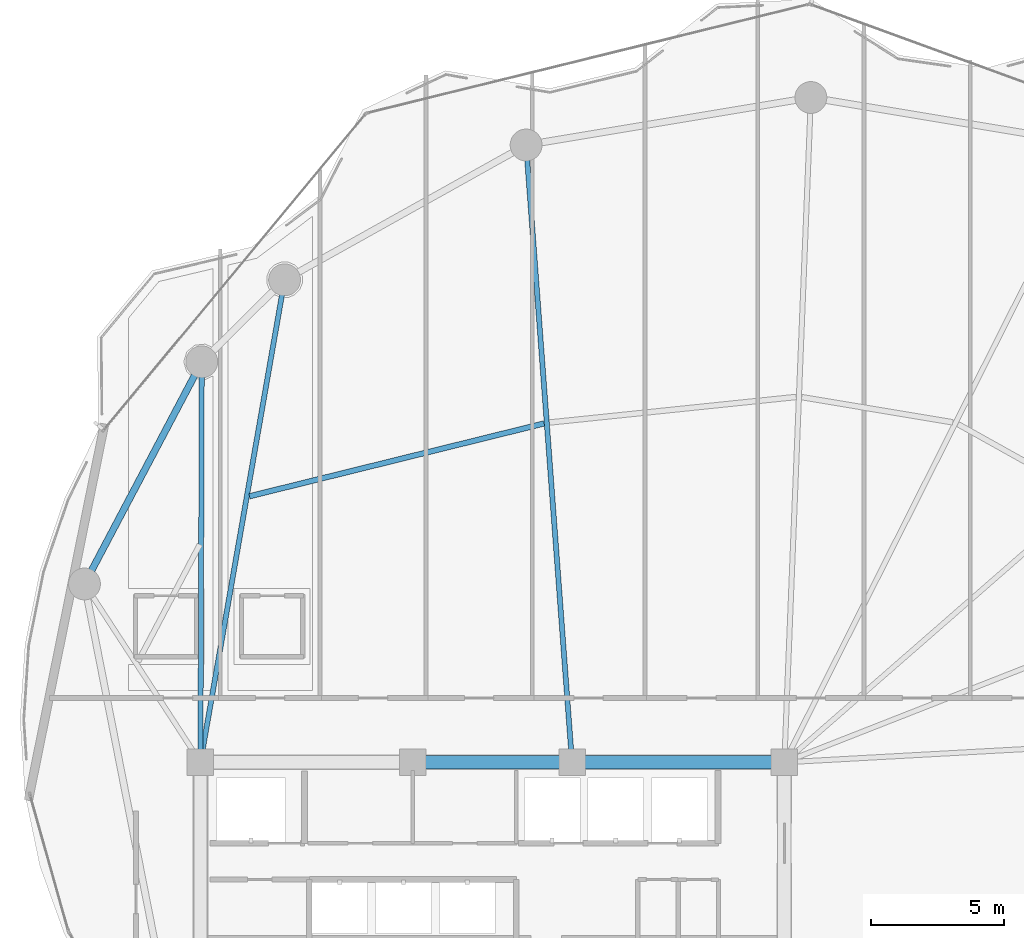
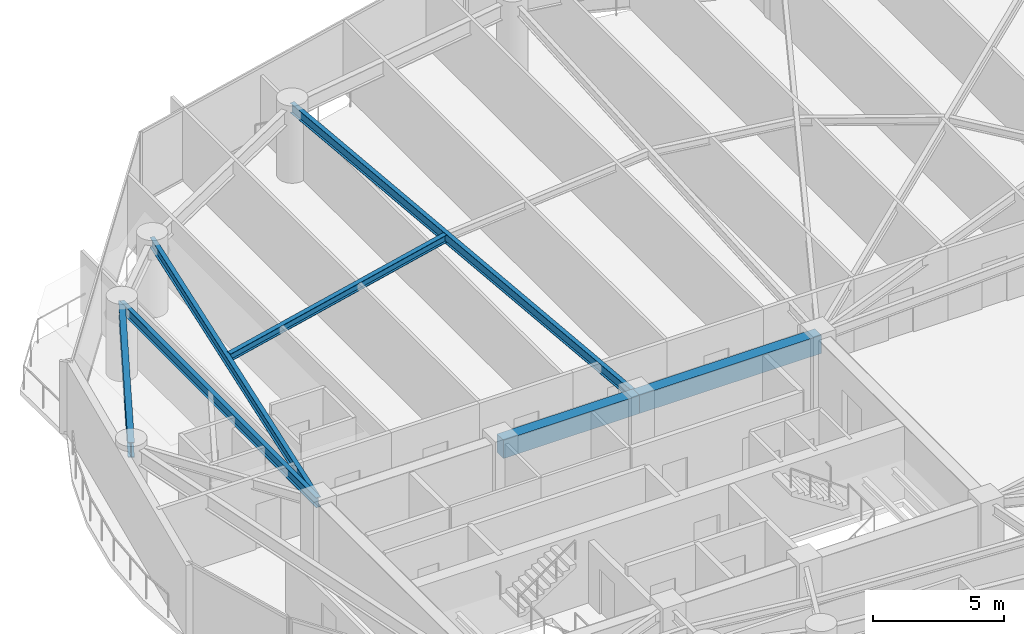
# One storey, part 8 of 28: 7 beams.
"""IFC4 building model written with IfcOpenShell, lengths in metres."""

from ifc_helpers import new_model, si_unit, direction, frame, origin, origin_2d, place, context, subcontext, project, spatial, rectangle, i_section, extrude, material, material_profile, profile_set, type_object, element, save


model = new_model("IFC4")

# Units and contexts
model_context = context("Model", 3, precision=1e-05, world=origin(), true_north=direction((0.0, 1.0)))
body_context = subcontext(model_context, "Body", "Model", "MODEL_VIEW")
ifc_project = project(units=[si_unit("LENGTHUNIT", "METRE"), si_unit("AREAUNIT", "SQUARE_METRE"), si_unit("VOLUMEUNIT", "CUBIC_METRE"), si_unit("PLANEANGLEUNIT", "RADIAN"), si_unit("MASSUNIT", "GRAM", prefix="KILO")], contexts=[model_context])

# Site, building, storey
site_placement = place(None, origin())
site = spatial("IfcSite", under=ifc_project, at=site_placement, CompositionType="ELEMENT")
building_placement = place(site_placement, origin())
building = spatial("IfcBuilding", under=site, at=building_placement, Name="Kazevale Care Tower and Concert Hall", CompositionType="ELEMENT")
storey_placement = place(building_placement, frame((0.0, 0.0, 142.199951171875)))
storey = spatial("IfcBuildingStorey", under=building, at=storey_placement, Name="L37", CompositionType="ELEMENT", Elevation=142.199951171875)

# Beams
ifc_material_1 = material(Name="Concrete C60", Category="concrete")
ifc_material_profile_1 = material_profile(ifc_material_1, rectangle(XDim=0.5, YDim=0.85009765625, at=origin_2d()), Name="RC-B500x850")
ifc_profile_set_1 = profile_set([ifc_material_profile_1], Name="Concrete C60")
beam_type_1 = type_object("IfcBeamType", Name="Core Coupling Beam RC500x850", PredefinedType="LINTEL", material=ifc_profile_set_1)
beam_1_placement = place(storey_placement, frame((44.0, 36.39990234375, 2.93505859375), z_axis=(-1.0, 0.0, 0.0), x_axis=(0.0, -1.0, 0.0)))
element("IfcBeam", 1, at=beam_1_placement, inside=storey, type_object=beam_type_1, Name="beam:L37:coretie:5", PredefinedType="LINTEL", context=body_context, shape_type="SweptSolid", body=[
    extrude(rectangle(XDim=0.5, YDim=0.85009765625, at=origin_2d()), origin(), (0.0, 0.0, 1.0), 8.0),
])
beam_2_placement = place(storey_placement, frame((36.0, 36.39990234375, 2.93505859375), z_axis=(-1.0, 0.0, 0.0), x_axis=(0.0, -1.0, 0.0)))
element("IfcBeam", 2, at=beam_2_placement, inside=storey, type_object=beam_type_1, Name="beam:L37:coretie:6", PredefinedType="LINTEL", context=body_context, shape_type="SweptSolid", body=[
    extrude(rectangle(XDim=0.5, YDim=0.85009765625, at=origin_2d()), origin(), (0.0, 0.0, 1.0), 6.0),
])
ifc_material_2 = material(Name="Steel ASTM A572 Gr 50", Category="steel")
ifc_material_profile_2 = material_profile(ifc_material_2, i_section(OverallWidth=0.19091796875, OverallDepth=0.4599609375, WebThickness=0.010009765625, FlangeThickness=0.01611328125, at=origin_2d()), Name="W460x82")
ifc_profile_set_2 = profile_set([ifc_material_profile_2], Name="Steel ASTM A572 Gr 50")
beam_type_2 = type_object("IfcBeamType", Name="Radial Floor Beam W460x82", PredefinedType="BEAM", material=ifc_profile_set_2)
beam_3_placement = place(storey_placement, frame((36.0, 36.39990234375, 3.130126953125), z_axis=(-0.074170876808, 0.997245547011, 0.0), x_axis=(-0.997245547011, -0.074170876808, 0.0)))
element("IfcBeam", 3, at=beam_3_placement, inside=storey, type_object=beam_type_2, Name="beam:L37:rad:06", PredefinedType="BEAM", context=body_context, shape_type="SweptSolid", body=[
    extrude(i_section(OverallWidth=0.19091796875, OverallDepth=0.4599609375, WebThickness=0.010009765625, FlangeThickness=0.01611328125, at=origin_2d()), origin(), (0.0, 0.0, 1.0), 23.32421875),
])
beam_4_placement = place(storey_placement, frame((22.0, 36.39990234375, 3.130126953125), z_axis=(0.171769935245, 0.985137091651, 0.0), x_axis=(-0.985137091651, 0.171769935245, 0.0)))
element("IfcBeam", 4, at=beam_4_placement, inside=storey, type_object=beam_type_2, Name="beam:L37:rad:07", PredefinedType="BEAM", context=body_context, shape_type="SweptSolid", body=[
    extrude(i_section(OverallWidth=0.19091796875, OverallDepth=0.4599609375, WebThickness=0.010009765625, FlangeThickness=0.01611328125, at=origin_2d()), origin(), (0.0, 0.0, 1.0), 18.454345703125),
])
beam_5_placement = place(storey_placement, frame((22.0, 36.39990234375, 3.130126953125), z_axis=(0.003316650851, 0.999994499898, 0.0), x_axis=(-0.999994499898, 0.003316650851, 0.0)))
element("IfcBeam", 5, at=beam_5_placement, inside=storey, type_object=beam_type_2, Name="beam:L37:rad:08", PredefinedType="BEAM", context=body_context, shape_type="SweptSolid", body=[
    extrude(i_section(OverallWidth=0.19091796875, OverallDepth=0.4599609375, WebThickness=0.010009765625, FlangeThickness=0.01611328125, at=origin_2d()), origin(), (0.0, 0.0, 1.0), 15.090087890625),
])
ifc_material_profile_3 = material_profile(ifc_material_2, i_section(OverallWidth=0.205078125, OverallDepth=0.35400390625, WebThickness=0.009521484375, FlangeThickness=0.016845703125, at=origin_2d()), Name="W360x79")
ifc_profile_set_3 = profile_set([ifc_material_profile_3], Name="Steel ASTM A572 Gr 50")
beam_type_3 = type_object("IfcBeamType", Name="Secondary Floor Joist W360x79", PredefinedType="JOIST", material=ifc_profile_set_3)
beam_6_placement = place(storey_placement, frame((34.947021484375, 49.16796875, 3.18310546875), z_axis=(-0.970789504014, -0.239932779954, 0.0), x_axis=(0.239932779954, -0.970789504014, 0.0)))
element("IfcBeam", 6, at=beam_6_placement, inside=storey, type_object=beam_type_3, Name="beam:L37:joist:06", PredefinedType="JOIST", context=body_context, shape_type="SweptSolid", body=[
    extrude(i_section(OverallWidth=0.205078125, OverallDepth=0.35400390625, WebThickness=0.009521484375, FlangeThickness=0.016845703125, at=origin_2d()), origin(), (0.0, 0.0, 1.0), 11.43603515625),
])
ifc_material_profile_4 = material_profile(ifc_material_2, i_section(OverallWidth=0.256103515625, OverallDepth=0.693115234375, WebThickness=0.014404296875, FlangeThickness=0.023681640625, at=origin_2d()), Name="W690x170")
ifc_profile_set_4 = profile_set([ifc_material_profile_4], Name="Steel ASTM A572 Gr 50")
beam_type_4 = type_object("IfcBeamType", Name="Waist Ring Beam W690x170", PredefinedType="BEAM", material=ifc_profile_set_4)
beam_7_placement = place(storey_placement, frame((22.050048828125, 51.489990234375, 3.013427734375), z_axis=(-0.466984438127, -0.884265533959, 0.0), x_axis=(0.884265533959, -0.466984438127, 0.0)))
element("IfcBeam", 7, at=beam_7_placement, inside=storey, type_object=beam_type_4, Name="beam:L37:ring:08", PredefinedType="BEAM", context=body_context, shape_type="SweptSolid", body=[
    extrude(i_section(OverallWidth=0.256103515625, OverallDepth=0.693115234375, WebThickness=0.014404296875, FlangeThickness=0.023681640625, at=origin_2d()), origin(), (0.0, 0.0, 1.0), 9.46533203125),
])

save(model, "model.ifc")
